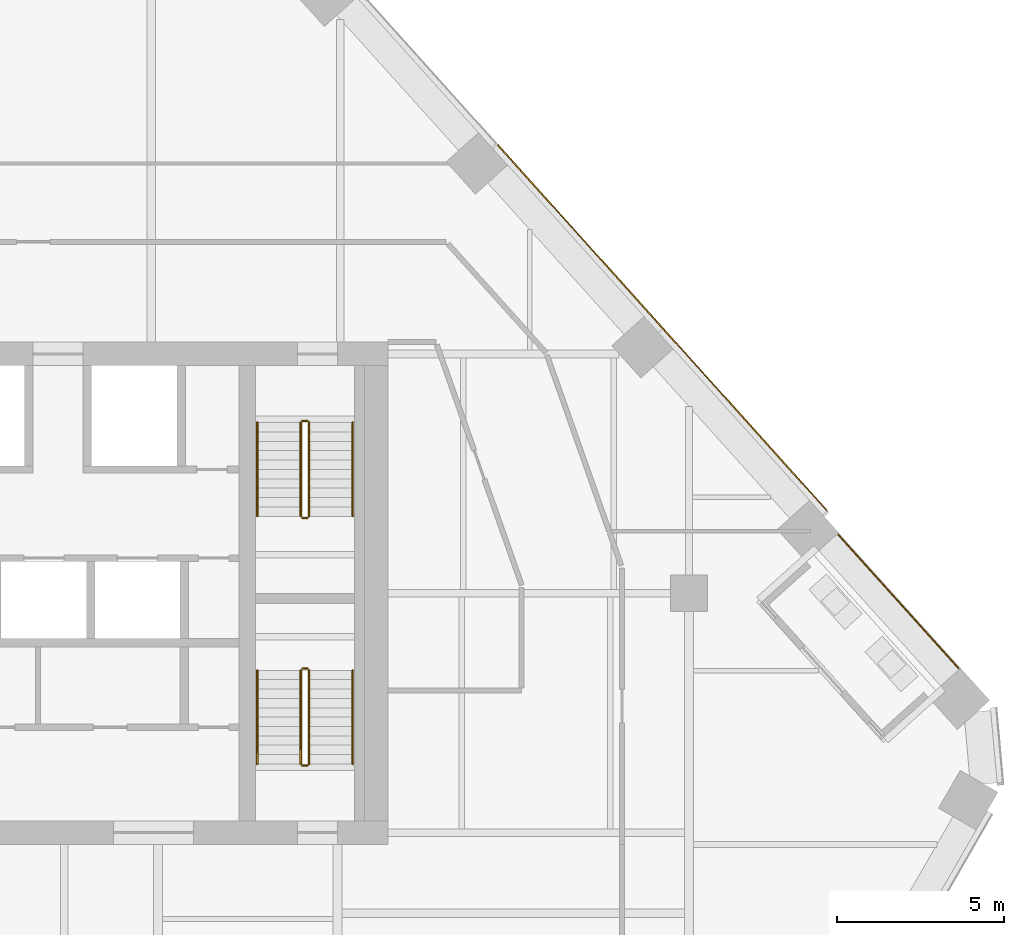
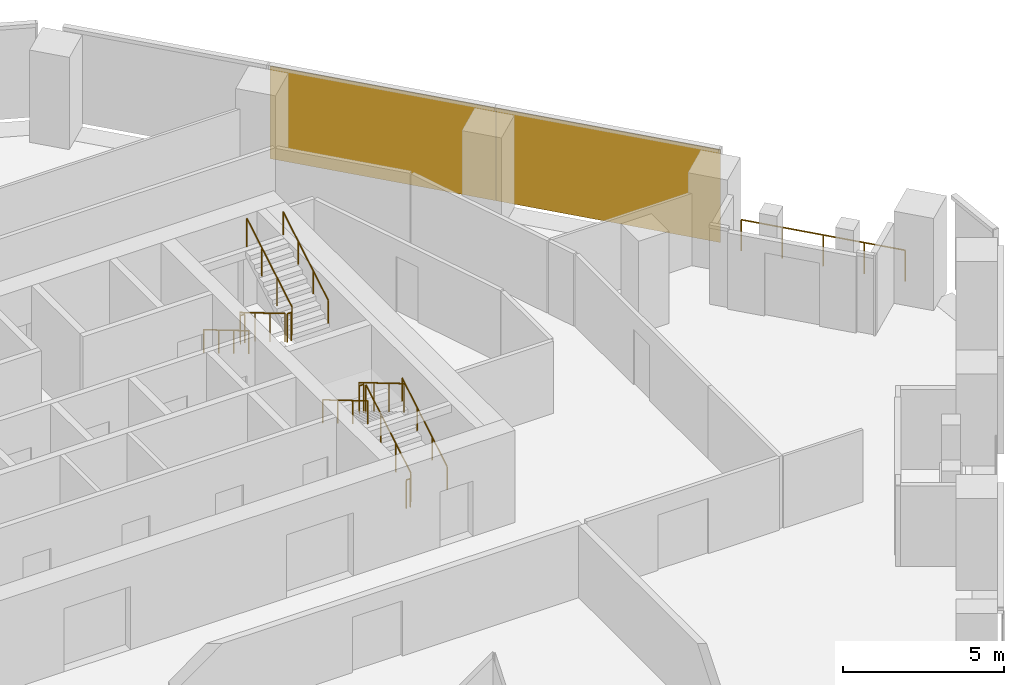
# One storey, part 25 of 26: 13 railings, 2 coverings, 1 element without a shape of its own.
"""IFC4 building model written with IfcOpenShell, lengths in metres."""

from ifc_helpers import new_model, si_unit, direction, frame, origin, origin_2d, place, context, subcontext, project, spatial, rectangle, circle, extrude, material, layer, layer_set, type_object, element, aggregate, save


model = new_model("IFC4")

# Units and contexts
model_context = context("Model", 3, precision=1e-05, world=origin(), true_north=direction((0.0, 1.0)))
body_context = subcontext(model_context, "Body", "Model", "MODEL_VIEW")
ifc_project = project(units=[si_unit("LENGTHUNIT", "METRE"), si_unit("AREAUNIT", "SQUARE_METRE"), si_unit("VOLUMEUNIT", "CUBIC_METRE"), si_unit("PLANEANGLEUNIT", "RADIAN"), si_unit("MASSUNIT", "GRAM", prefix="KILO")], contexts=[model_context])

# Site, building, storey
site_placement = place(None, origin())
site = spatial("IfcSite", under=ifc_project, at=site_placement, CompositionType="ELEMENT")
building_placement = place(site_placement, origin())
building = spatial("IfcBuilding", under=site, at=building_placement, Name="Isthmus Gate Tower", CompositionType="ELEMENT")
storey_placement = place(building_placement, frame((0.0, 0.0, 189.050048828125)))
storey = spatial("IfcBuildingStorey", under=building, at=storey_placement, Name="L47", CompositionType="ELEMENT", Elevation=189.050048828125)

# Curtain wall, coverings
ifc_material_1 = material(Name="Aluminium, pale champagne anodised", Category="aluminium")
ifc_layer_1 = layer(ifc_material_1, 0.199951171875)
ifc_layer_set_1 = layer_set([ifc_layer_1], Name="CW-1 UNITISED CURTAIN WALL 200 DEEP")
curtain_wall_type = type_object("IfcCurtainWallType", Name="CW-1 UNITISED CURTAIN WALL 200 DEEP", PredefinedType="NOTDEFINED", material=ifc_layer_set_1)
curtain_wall_placement = place(storey_placement, origin())
curtain_wall = element("IfcCurtainWall", 1, at=curtain_wall_placement, inside=storey, type_object=curtain_wall_type, Name="CW-1 NE L47", PredefinedType="NOTDEFINED")
ifc_material_2 = material(Name="Aluminium composite panel, pale champagne anodised", Category="aluminium")
ifc_layer_2 = layer(ifc_material_2, 0.035888671875)
ifc_layer_set_2 = layer_set([ifc_layer_2], Name="CW-1 PALE METAL PANEL 36")
covering_type = type_object("IfcCoveringType", Name="CW-1 PALE METAL PANEL 36", PredefinedType="CLADDING", material=ifc_layer_set_2)
covering_1_placement = place(storey_placement, frame((25.680419921875, 12.681884765625, 0.0), z_axis=(0.0, 0.0, 1.0), x_axis=(-0.669130606359, 0.743144825477, 0.0)))
covering_1 = element("IfcCovering", 2, at=covering_1_placement, type_object=covering_type, Name="CW-1 pale metal panel", PredefinedType="CLADDING", context=body_context, shape_type="SweptSolid", body=[
    extrude(rectangle(XDim=7.330810546875, YDim=0.035888671875, at=origin_2d()), origin(), (0.0, 0.0, 1.0), 3.510009765625),
])
covering_2_placement = place(storey_placement, frame((20.755126953125, 18.15185546875, 0.0), z_axis=(0.0, 0.0, 1.0), x_axis=(-0.669130606359, 0.743144825477, 0.0)))
covering_2 = element("IfcCovering", 3, at=covering_2_placement, type_object=covering_type, Name="CW-1 pale metal panel", PredefinedType="CLADDING", context=body_context, shape_type="SweptSolid", body=[
    extrude(rectangle(XDim=7.390869140625, YDim=0.035888671875, at=origin_2d()), origin(), (0.0, 0.0, 1.0), 3.510009765625),
])
aggregate(curtain_wall, [covering_1, covering_2])

# Railings
ifc_material_3 = material(Name="Toughened laminated glass with stainless steel posts", Category="steel")
railing_type_1 = type_object("IfcRailingType", Name="GUARD 1200 FRAMELESS GLASS", PredefinedType="GUARDRAIL", material=ifc_material_3)
railing_1_placement = place(storey_placement, frame((32.049560546875, 5.261474609375, 0.0)))
element("IfcRailing", 4, at=railing_1_placement, inside=storey, type_object=railing_type_1, Name="LOGGIA GUARD", PredefinedType="GUARDRAIL", context=body_context, shape_type="SweptSolid", body=[
    extrude(circle(Radius=0.02490234375, at=origin_2d()), frame((0.0, 0.0, 1.1748046875), z_axis=(-0.669110656075, 0.743162788309, 0.0), x_axis=(-0.743162788309, -0.669110656075, 0.0)), (0.0, 0.0, 1.0), 5.36083984375),
    extrude(circle(Radius=0.02490234375, at=origin_2d()), origin(), (0.0, 0.0, 1.0), 1.14990234375),
    extrude(circle(Radius=0.02490234375, at=origin_2d()), frame((-0.896728515625, 0.99609375, 0.0)), (0.0, 0.0, 1.0), 1.14990234375),
    extrude(circle(Radius=0.02490234375, at=origin_2d()), frame((-1.79345703125, 1.991943359375, 0.0)), (0.0, 0.0, 1.0), 1.14990234375),
    extrude(circle(Radius=0.02490234375, at=origin_2d()), frame((-2.690185546875, 2.98779296875, 0.0)), (0.0, 0.0, 1.0), 1.14990234375),
    extrude(circle(Radius=0.02490234375, at=origin_2d()), frame((-3.5869140625, 3.98388671875, 0.0)), (0.0, 0.0, 1.0), 1.14990234375),
])
ifc_material_4 = material(Name="Stainless steel balustrade", Category="steel")
railing_type_2 = type_object("IfcRailingType", Name="STAIR GUARD 1100", PredefinedType="GUARDRAIL", material=ifc_material_4)
railing_2_placement = place(storey_placement, frame((12.39990234375, 12.60009765625, 0.165771484375)))
element("IfcRailing", 5, at=railing_2_placement, inside=storey, type_object=railing_type_2, Name="L47 ST2 stair guard 1", PredefinedType="GUARDRAIL", context=body_context, shape_type="SweptSolid", body=[
    extrude(circle(Radius=0.02392578125, at=origin_2d()), frame((0.0, 0.0, 1.076171875), z_axis=(0.0, -0.860306154799, 0.50977771628), x_axis=(1.0, 0.0, 0.0)), (0.0, 0.0, 1.0), 3.254638671875),
    extrude(circle(Radius=0.02099609375, at=origin_2d()), origin(), (0.0, 0.0, 1.0), 1.052001953125),
    extrude(circle(Radius=0.02099609375, at=origin_2d()), frame((0.0, -0.933349609375, 0.552978515625)), (0.0, 0.0, 1.0), 1.052001953125),
    extrude(circle(Radius=0.02099609375, at=origin_2d()), frame((0.0, -1.86669921875, 1.106201171875)), (0.0, 0.0, 1.0), 1.052001953125),
    extrude(circle(Radius=0.02099609375, at=origin_2d()), frame((0.0, -2.800048828125, 1.6591796875)), (0.0, 0.0, 1.0), 1.052001953125),
])
railing_3_placement = place(storey_placement, frame((12.449951171875, 9.75, 1.824951171875)))
element("IfcRailing", 6, at=railing_3_placement, inside=storey, type_object=railing_type_2, Name="L47 ST2 stair guard 2", PredefinedType="GUARDRAIL", context=body_context, shape_type="SweptSolid", body=[
    extrude(circle(Radius=0.02392578125, at=origin_2d()), frame((0.0, 0.0, 1.076171875), z_axis=(1.0, 0.0, 0.0), x_axis=(0.0, 1.0, 0.0)), (0.0, 0.0, 1.0), 0.150146484375),
    extrude(circle(Radius=0.02099609375, at=origin_2d()), origin(), (0.0, 0.0, 1.0), 1.052001953125),
    extrude(circle(Radius=0.02099609375, at=origin_2d()), frame((0.150146484375, 0.0, 0.0)), (0.0, 0.0, 1.0), 1.052001953125),
])
railing_4_placement = place(storey_placement, frame((12.64990234375, 9.800048828125, 1.990966796875)))
element("IfcRailing", 7, at=railing_4_placement, inside=storey, type_object=railing_type_2, Name="L47 ST2 stair guard 3", PredefinedType="GUARDRAIL", context=body_context, shape_type="SweptSolid", body=[
    extrude(circle(Radius=0.02392578125, at=origin_2d()), frame((0.0, 0.0, 1.076171875), z_axis=(0.0, 0.860339051648, 0.50972219513), x_axis=(-1.0, 0.0, 0.0)), (0.0, 0.0, 1.0), 3.254638671875),
    extrude(circle(Radius=0.02099609375, at=origin_2d()), origin(), (0.0, 0.0, 1.0), 1.052001953125),
    extrude(circle(Radius=0.02099609375, at=origin_2d()), frame((0.0, 0.933349609375, 0.552978515625)), (0.0, 0.0, 1.0), 1.052001953125),
    extrude(circle(Radius=0.02099609375, at=origin_2d()), frame((0.0, 1.86669921875, 1.10595703125)), (0.0, 0.0, 1.0), 1.052001953125),
    extrude(circle(Radius=0.02099609375, at=origin_2d()), frame((0.0, 2.800048828125, 1.658935546875)), (0.0, 0.0, 1.0), 1.052001953125),
])
railing_5_placement = place(storey_placement, frame((12.449951171875, 12.64990234375, 0.0)))
element("IfcRailing", 8, at=railing_5_placement, inside=storey, type_object=railing_type_2, Name="L47 ST2 stair guard 4", PredefinedType="GUARDRAIL", context=body_context, shape_type="SweptSolid", body=[
    extrude(circle(Radius=0.02392578125, at=origin_2d()), frame((0.0, 0.0, 1.076171875), z_axis=(1.0, 0.0, 0.0), x_axis=(0.0, 1.0, 0.0)), (0.0, 0.0, 1.0), 0.150146484375),
    extrude(circle(Radius=0.02099609375, at=origin_2d()), origin(), (0.0, 0.0, 1.0), 1.052001953125),
    extrude(circle(Radius=0.02099609375, at=origin_2d()), frame((0.150146484375, 0.0, 0.0)), (0.0, 0.0, 1.0), 1.052001953125),
])
railing_6_placement = place(storey_placement, frame((12.64990234375, 2.39990234375, 0.165771484375)))
element("IfcRailing", 9, at=railing_6_placement, inside=storey, type_object=railing_type_2, Name="L47 ST8 stair guard 1", PredefinedType="GUARDRAIL", context=body_context, shape_type="SweptSolid", body=[
    extrude(circle(Radius=0.02392578125, at=origin_2d()), frame((0.0, 0.0, 1.076171875), z_axis=(0.0, 0.860306154799, 0.50977771628), x_axis=(-1.0, 0.0, 0.0)), (0.0, 0.0, 1.0), 3.254638671875),
    extrude(circle(Radius=0.02099609375, at=origin_2d()), origin(), (0.0, 0.0, 1.0), 1.052001953125),
    extrude(circle(Radius=0.02099609375, at=origin_2d()), frame((0.0, 0.933349609375, 0.552978515625)), (0.0, 0.0, 1.0), 1.052001953125),
    extrude(circle(Radius=0.02099609375, at=origin_2d()), frame((0.0, 1.86669921875, 1.106201171875)), (0.0, 0.0, 1.0), 1.052001953125),
    extrude(circle(Radius=0.02099609375, at=origin_2d()), frame((0.0, 2.800048828125, 1.6591796875)), (0.0, 0.0, 1.0), 1.052001953125),
])
railing_7_placement = place(storey_placement, frame((12.60009765625, 5.25, 1.824951171875)))
element("IfcRailing", 10, at=railing_7_placement, inside=storey, type_object=railing_type_2, Name="L47 ST8 stair guard 2", PredefinedType="GUARDRAIL", context=body_context, shape_type="SweptSolid", body=[
    extrude(circle(Radius=0.02392578125, at=origin_2d()), frame((0.0, 0.0, 1.076171875), z_axis=(-1.0, 0.0, 0.0), x_axis=(0.0, -1.0, 0.0)), (0.0, 0.0, 1.0), 0.150146484375),
    extrude(circle(Radius=0.02099609375, at=origin_2d()), origin(), (0.0, 0.0, 1.0), 1.052001953125),
    extrude(circle(Radius=0.02099609375, at=origin_2d()), frame((-0.150146484375, 0.0, 0.0)), (0.0, 0.0, 1.0), 1.052001953125),
])
railing_8_placement = place(storey_placement, frame((12.39990234375, 5.199951171875, 1.990966796875)))
element("IfcRailing", 11, at=railing_8_placement, inside=storey, type_object=railing_type_2, Name="L47 ST8 stair guard 3", PredefinedType="GUARDRAIL", context=body_context, shape_type="SweptSolid", body=[
    extrude(circle(Radius=0.02392578125, at=origin_2d()), frame((0.0, 0.0, 1.076171875), z_axis=(0.0, -0.860339051648, 0.50972219513), x_axis=(1.0, 0.0, 0.0)), (0.0, 0.0, 1.0), 3.254638671875),
    extrude(circle(Radius=0.02099609375, at=origin_2d()), origin(), (0.0, 0.0, 1.0), 1.052001953125),
    extrude(circle(Radius=0.02099609375, at=origin_2d()), frame((0.0, -0.933349609375, 0.552978515625)), (0.0, 0.0, 1.0), 1.052001953125),
    extrude(circle(Radius=0.02099609375, at=origin_2d()), frame((0.0, -1.86669921875, 1.10595703125)), (0.0, 0.0, 1.0), 1.052001953125),
    extrude(circle(Radius=0.02099609375, at=origin_2d()), frame((0.0, -2.800048828125, 1.658935546875)), (0.0, 0.0, 1.0), 1.052001953125),
])
railing_9_placement = place(storey_placement, frame((12.60009765625, 2.35009765625, 0.0)))
element("IfcRailing", 12, at=railing_9_placement, inside=storey, type_object=railing_type_2, Name="L47 ST8 stair guard 4", PredefinedType="GUARDRAIL", context=body_context, shape_type="SweptSolid", body=[
    extrude(circle(Radius=0.02392578125, at=origin_2d()), frame((0.0, 0.0, 1.076171875), z_axis=(-1.0, 0.0, 0.0), x_axis=(0.0, -1.0, 0.0)), (0.0, 0.0, 1.0), 0.150146484375),
    extrude(circle(Radius=0.02099609375, at=origin_2d()), origin(), (0.0, 0.0, 1.0), 1.052001953125),
    extrude(circle(Radius=0.02099609375, at=origin_2d()), frame((-0.150146484375, 0.0, 0.0)), (0.0, 0.0, 1.0), 1.052001953125),
])
ifc_material_5 = material(Name="Stainless steel handrail", Category="steel")
railing_type_3 = type_object("IfcRailingType", Name="STAIR HANDRAIL 900", PredefinedType="HANDRAIL", material=ifc_material_5)
railing_10_placement = place(storey_placement, frame((11.10009765625, 12.60009765625, 0.165771484375)))
element("IfcRailing", 13, at=railing_10_placement, inside=storey, type_object=railing_type_3, Name="L47 ST2 stair handrail 1", PredefinedType="HANDRAIL", context=body_context, shape_type="SweptSolid", body=[
    extrude(circle(Radius=0.02392578125, at=origin_2d()), frame((0.0, 0.0, 0.8759765625), z_axis=(0.0, -0.860306154799, 0.50977771628), x_axis=(1.0, 0.0, 0.0)), (0.0, 0.0, 1.0), 3.254638671875),
    extrude(circle(Radius=0.02099609375, at=origin_2d()), origin(), (0.0, 0.0, 1.0), 0.851806640625),
    extrude(circle(Radius=0.02099609375, at=origin_2d()), frame((0.0, -0.933349609375, 0.552978515625)), (0.0, 0.0, 1.0), 0.851806640625),
    extrude(circle(Radius=0.02099609375, at=origin_2d()), frame((0.0, -1.86669921875, 1.106201171875)), (0.0, 0.0, 1.0), 0.851806640625),
    extrude(circle(Radius=0.02099609375, at=origin_2d()), frame((0.0, -2.800048828125, 1.6591796875)), (0.0, 0.0, 1.0), 0.851806640625),
])
railing_11_placement = place(storey_placement, frame((13.949951171875, 9.800048828125, 1.990966796875)))
element("IfcRailing", 14, at=railing_11_placement, inside=storey, type_object=railing_type_3, Name="L47 ST2 stair handrail 2", PredefinedType="HANDRAIL", context=body_context, shape_type="SweptSolid", body=[
    extrude(circle(Radius=0.02392578125, at=origin_2d()), frame((0.0, 0.0, 0.8759765625), z_axis=(0.0, 0.860339051648, 0.50972219513), x_axis=(-1.0, 0.0, 0.0)), (0.0, 0.0, 1.0), 3.254638671875),
    extrude(circle(Radius=0.02099609375, at=origin_2d()), origin(), (0.0, 0.0, 1.0), 0.851806640625),
    extrude(circle(Radius=0.02099609375, at=origin_2d()), frame((0.0, 0.933349609375, 0.552978515625)), (0.0, 0.0, 1.0), 0.851806640625),
    extrude(circle(Radius=0.02099609375, at=origin_2d()), frame((0.0, 1.86669921875, 1.10595703125)), (0.0, 0.0, 1.0), 0.851806640625),
    extrude(circle(Radius=0.02099609375, at=origin_2d()), frame((0.0, 2.800048828125, 1.658935546875)), (0.0, 0.0, 1.0), 0.851806640625),
])
railing_12_placement = place(storey_placement, frame((13.949951171875, 2.39990234375, 0.165771484375)))
element("IfcRailing", 15, at=railing_12_placement, inside=storey, type_object=railing_type_3, Name="L47 ST8 stair handrail 1", PredefinedType="HANDRAIL", context=body_context, shape_type="SweptSolid", body=[
    extrude(circle(Radius=0.02392578125, at=origin_2d()), frame((0.0, 0.0, 0.8759765625), z_axis=(0.0, 0.860306154799, 0.50977771628), x_axis=(-1.0, 0.0, 0.0)), (0.0, 0.0, 1.0), 3.254638671875),
    extrude(circle(Radius=0.02099609375, at=origin_2d()), origin(), (0.0, 0.0, 1.0), 0.851806640625),
    extrude(circle(Radius=0.02099609375, at=origin_2d()), frame((0.0, 0.933349609375, 0.552978515625)), (0.0, 0.0, 1.0), 0.851806640625),
    extrude(circle(Radius=0.02099609375, at=origin_2d()), frame((0.0, 1.86669921875, 1.106201171875)), (0.0, 0.0, 1.0), 0.851806640625),
    extrude(circle(Radius=0.02099609375, at=origin_2d()), frame((0.0, 2.800048828125, 1.6591796875)), (0.0, 0.0, 1.0), 0.851806640625),
])
railing_13_placement = place(storey_placement, frame((11.10009765625, 5.199951171875, 1.990966796875)))
element("IfcRailing", 16, at=railing_13_placement, inside=storey, type_object=railing_type_3, Name="L47 ST8 stair handrail 2", PredefinedType="HANDRAIL", context=body_context, shape_type="SweptSolid", body=[
    extrude(circle(Radius=0.02392578125, at=origin_2d()), frame((0.0, 0.0, 0.8759765625), z_axis=(0.0, -0.860339051648, 0.50972219513), x_axis=(1.0, 0.0, 0.0)), (0.0, 0.0, 1.0), 3.254638671875),
    extrude(circle(Radius=0.02099609375, at=origin_2d()), origin(), (0.0, 0.0, 1.0), 0.851806640625),
    extrude(circle(Radius=0.02099609375, at=origin_2d()), frame((0.0, -0.933349609375, 0.552978515625)), (0.0, 0.0, 1.0), 0.851806640625),
    extrude(circle(Radius=0.02099609375, at=origin_2d()), frame((0.0, -1.86669921875, 1.10595703125)), (0.0, 0.0, 1.0), 0.851806640625),
    extrude(circle(Radius=0.02099609375, at=origin_2d()), frame((0.0, -2.800048828125, 1.658935546875)), (0.0, 0.0, 1.0), 0.851806640625),
])

save(model, "model.ifc")
